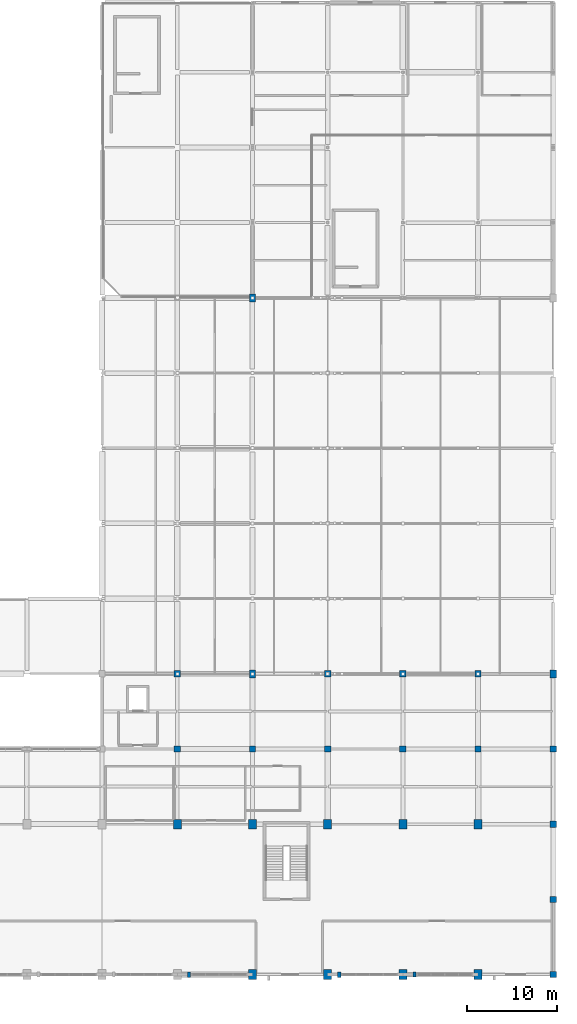
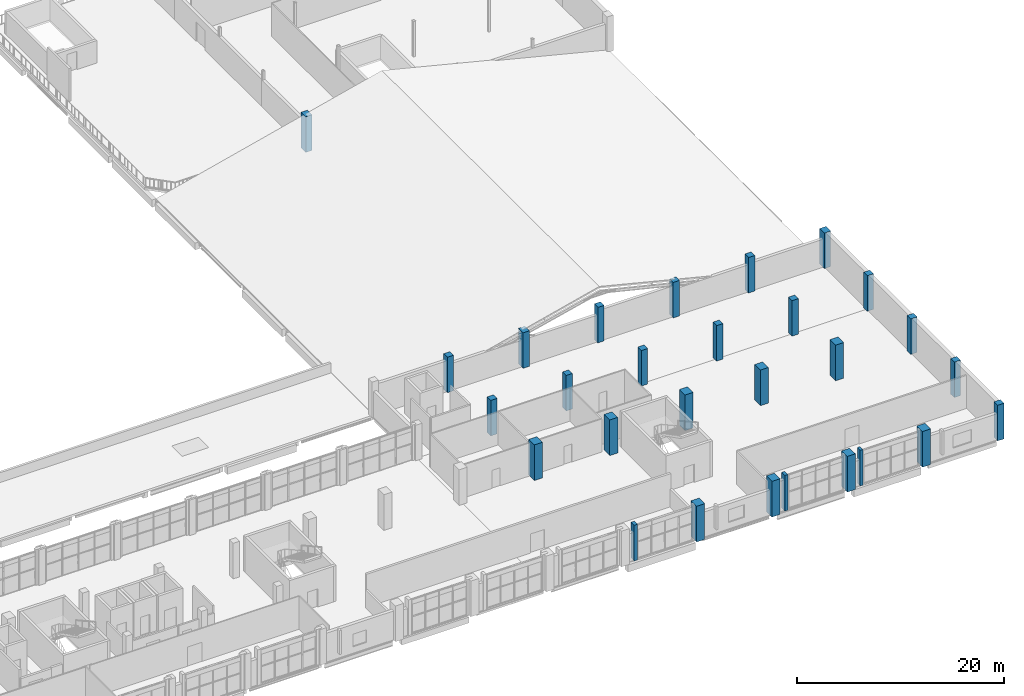
# One storey, part 5 of 64: 28 columns.
"""IFC4 building model written with IfcOpenShell, lengths in metres."""

from ifc_helpers import new_model, si_unit, derived_unit, direction, frame, origin, origin_2d, place, context, subcontext, project, spatial, rectangle, extrude, material, material_profile, profile_set, type_object, element, save


model = new_model("IFC4")

# Units and contexts
model_context = context("Model", 3, precision=1e-05, world=origin(), true_north=direction((0.0, 1.0)))
body_context = subcontext(model_context, "Body", "Model", "MODEL_VIEW")
ifc_project = project(units=[si_unit("LENGTHUNIT", "METRE"), si_unit("AREAUNIT", "SQUARE_METRE"), si_unit("VOLUMEUNIT", "CUBIC_METRE"), si_unit("PLANEANGLEUNIT", "RADIAN"), si_unit("MASSUNIT", "GRAM", prefix="KILO"), derived_unit("THERMALTRANSMITTANCEUNIT", [(si_unit("POWERUNIT", "WATT"), 1), (si_unit("LENGTHUNIT", "METRE"), -2), (si_unit("THERMODYNAMICTEMPERATUREUNIT", "KELVIN"), -1)])], contexts=[model_context])

# Site, building, storey
site_placement = place(None, origin())
site = spatial("IfcSite", under=ifc_project, at=site_placement, CompositionType="ELEMENT")
building_placement = place(site_placement, origin())
building = spatial("IfcBuilding", under=site, at=building_placement, Name="Barrovel Congress Hotel", CompositionType="ELEMENT")
storey_placement = place(building_placement, frame((0.0, 0.0, 14.10009765625)))
storey = spatial("IfcBuildingStorey", under=building, at=storey_placement, Name="L03", CompositionType="ELEMENT", Elevation=14.10009765625)

# Columns
ifc_material_1 = material(Name="Concrete C40", Category="concrete")
ifc_material_profile_1 = material_profile(ifc_material_1, rectangle(XDim=0.699951171875, YDim=0.699951171875, at=origin_2d()), Name="RC700x700")
ifc_profile_set_1 = profile_set([ifc_material_profile_1], Name="Concrete C40")
column_type_1 = type_object("IfcColumnType", Name="COL-RC700x700", PredefinedType="COLUMN", material=ifc_profile_set_1)
for number, where, z_axis, x_axis, name in (
    (1, (134.39990234375, 29.39990234375, 0.0), (0.0, 0.0, 1.0), (1.0, 0.0, 0.0), "COL:L03:134.4:29.4"),
    (2, (134.39990234375, 37.800048828125, 0.0), (0.0, 0.0, 1.0), (1.0, 0.0, 0.0), "COL:L03:134.4:37.8"),
    (3, (142.800048828125, 29.39990234375, 0.0), (0.0, 0.0, 1.0), (1.0, 0.0, 0.0), "COL:L03:142.8:29.4"),
    (4, (151.199951171875, 29.39990234375, 0.0), (0.0, 0.0, 1.0), (1.0, 0.0, 0.0), "COL:L03:151.2:29.4"),
    (5, (151.199951171875, 37.800048828125, 0.0), (0.0, 0.0, 1.0), (1.0, 0.0, 0.0), "COL:L03:151.2:37.8"),
    (6, (159.60009765625, 29.39990234375, 0.0), (0.0, 0.0, 1.0), (1.0, 0.0, 0.0), "COL:L03:159.6:29.4"),
    (7, (159.60009765625, 37.800048828125, 0.0), (0.0, 0.0, 1.0), (1.0, 0.0, 0.0), "COL:L03:159.6:37.8"),
    (8, (168.0, 29.39990234375, 0.0), (0.0, 0.0, 1.0), (1.0, 0.0, 0.0), "COL:L03:168.0:29.4"),
    (9, (168.0, 37.800048828125, 0.0), (0.0, 0.0, 1.0), (1.0, 0.0, 0.0), "COL:L03:168.0:37.8"),
    (10, (176.39990234375, 4.199951171875, 0.0), (0.0, 0.0, 1.0), (1.0, 0.0, 0.0), "COL:L03:176.4:4.2"),
    (11, (176.39990234375, 12.60009765625, 0.0), (0.0, 0.0, 1.0), (1.0, 0.0, 0.0), "COL:L03:176.4:12.6"),
    (12, (176.39990234375, 21.0, 0.0), (0.0, 0.0, 1.0), (1.0, 0.0, 0.0), "COL:L03:176.4:21.0"),
    (13, (176.39990234375, 29.39990234375, 0.0), (0.0, 0.0, 1.0), (1.0, 0.0, 0.0), "COL:L03:176.4:29.4"),
):
    element("IfcColumn", number, at=place(storey_placement, frame(where, z_axis=z_axis, x_axis=x_axis)), inside=storey, type_object=column_type_1, Name=name, PredefinedType="COLUMN", context=body_context, shape_type="SweptSolid", body=[
        extrude(rectangle(XDim=0.699951171875, YDim=0.699951171875, at=origin_2d()), origin(), (0.0, 0.0, 1.0), 4.199951171875),
    ])
ifc_material_profile_2 = material_profile(ifc_material_1, rectangle(XDim=0.699951171875, YDim=0.89990234375, at=origin_2d()), Name="RC700x900")
ifc_profile_set_2 = profile_set([ifc_material_profile_2], Name="Concrete C40")
column_type_2 = type_object("IfcColumnType", Name="COL-RC700x900", PredefinedType="COLUMN", material=ifc_profile_set_2)
for number, where, z_axis, x_axis, name in (
    (14, (142.800048828125, 37.800048828125, 0.0), (0.0, 0.0, 1.0), (1.0, 0.0, 0.0), "COL:L03:142.8:37.8"),
    (15, (142.800048828125, 79.800048828125, 0.0), (0.0, 0.0, 1.0), (1.0, 0.0, 0.0), "COL:L03:142.8:79.8"),
    (16, (176.39990234375, 37.800048828125, 0.0), (0.0, 0.0, 1.0), (1.0, 0.0, 0.0), "COL:L03:176.4:37.8"),
):
    element("IfcColumn", number, at=place(storey_placement, frame(where, z_axis=z_axis, x_axis=x_axis)), inside=storey, type_object=column_type_2, Name=name, PredefinedType="COLUMN", context=body_context, shape_type="SweptSolid", body=[
        extrude(rectangle(XDim=0.699951171875, YDim=0.89990234375, at=origin_2d()), origin(), (0.0, 0.0, 1.0), 4.199951171875),
    ])
ifc_material_2 = material(Name="Concrete C50", Category="concrete")
ifc_material_profile_3 = material_profile(ifc_material_2, rectangle(XDim=0.89990234375, YDim=1.10009765625, at=origin_2d()), Name="RC900x1100")
ifc_profile_set_3 = profile_set([ifc_material_profile_3], Name="Concrete C50")
column_type_3 = type_object("IfcColumnType", Name="COL-RC900x1100", PredefinedType="COLUMN", material=ifc_profile_set_3)
for number, where, z_axis, x_axis, name in (
    (17, (134.39990234375, 21.0, 0.0), (0.0, 0.0, 1.0), (1.0, 0.0, 0.0), "COL:L03:134.4:21.0"),
    (18, (142.800048828125, 4.199951171875, 0.0), (0.0, 0.0, 1.0), (1.0, 0.0, 0.0), "COL:L03:142.8:4.2"),
    (19, (142.800048828125, 21.0, 0.0), (0.0, 0.0, 1.0), (1.0, 0.0, 0.0), "COL:L03:142.8:21.0"),
    (20, (151.199951171875, 4.199951171875, 0.0), (0.0, 0.0, 1.0), (1.0, 0.0, 0.0), "COL:L03:151.2:4.2"),
    (21, (151.199951171875, 21.0, 0.0), (0.0, 0.0, 1.0), (1.0, 0.0, 0.0), "COL:L03:151.2:21.0"),
    (22, (159.60009765625, 4.199951171875, 0.0), (0.0, 0.0, 1.0), (1.0, 0.0, 0.0), "COL:L03:159.6:4.2"),
    (23, (159.60009765625, 21.0, 0.0), (0.0, 0.0, 1.0), (1.0, 0.0, 0.0), "COL:L03:159.6:21.0"),
    (24, (168.0, 4.199951171875, 0.0), (0.0, 0.0, 1.0), (1.0, 0.0, 0.0), "COL:L03:168.0:4.2"),
    (25, (168.0, 21.0, 0.0), (0.0, 0.0, 1.0), (1.0, 0.0, 0.0), "COL:L03:168.0:21.0"),
):
    element("IfcColumn", number, at=place(storey_placement, frame(where, z_axis=z_axis, x_axis=x_axis)), inside=storey, type_object=column_type_3, Name=name, PredefinedType="COLUMN", context=body_context, shape_type="SweptSolid", body=[
        extrude(rectangle(XDim=0.89990234375, YDim=1.10009765625, at=origin_2d()), origin(), (0.0, 0.0, 1.0), 4.199951171875),
    ])
ifc_material_profile_4 = material_profile(ifc_material_1, rectangle(XDim=0.300048828125, YDim=0.550048828125, at=origin_2d()), Name="RC300x550")
ifc_profile_set_4 = profile_set([ifc_material_profile_4], Name="Concrete C40")
column_type_4 = type_object("IfcColumnType", Name="PIL-RC300x550", PredefinedType="PILASTER", material=ifc_profile_set_4)
column_placement = place(storey_placement, frame((160.89990234375, 4.199951171875, 0.0), z_axis=(0.0, 0.0, 1.0), x_axis=(1.0, 0.0, 0.0)))
element("IfcColumn", 26, at=column_placement, inside=storey, type_object=column_type_4, Name="PIL:L03:S:160.9", PredefinedType="PILASTER", context=body_context, shape_type="SweptSolid", body=[
    extrude(rectangle(XDim=0.300048828125, YDim=0.550048828125, at=origin_2d()), origin(), (0.0, 0.0, 1.0), 4.199951171875),
])
ifc_material_profile_5 = material_profile(ifc_material_1, rectangle(XDim=0.35009765625, YDim=0.60009765625, at=origin_2d()), Name="RC350x600")
ifc_profile_set_5 = profile_set([ifc_material_profile_5], Name="Concrete C40")
column_type_5 = type_object("IfcColumnType", Name="PIL-RC350x600", PredefinedType="PILASTER", material=ifc_profile_set_5)
for number, where, z_axis, x_axis, name in (
    (27, (135.699951171875, 4.199951171875, 0.0), (0.0, 0.0, 1.0), (1.0, 0.0, 0.0), "PIL:L03:S:135.7"),
    (28, (152.5, 4.199951171875, 0.0), (0.0, 0.0, 1.0), (1.0, 0.0, 0.0), "PIL:L03:S:152.5"),
):
    element("IfcColumn", number, at=place(storey_placement, frame(where, z_axis=z_axis, x_axis=x_axis)), inside=storey, type_object=column_type_5, Name=name, PredefinedType="PILASTER", context=body_context, shape_type="SweptSolid", body=[
        extrude(rectangle(XDim=0.35009765625, YDim=0.60009765625, at=origin_2d()), origin(), (0.0, 0.0, 1.0), 4.199951171875),
    ])

save(model, "model.ifc")
